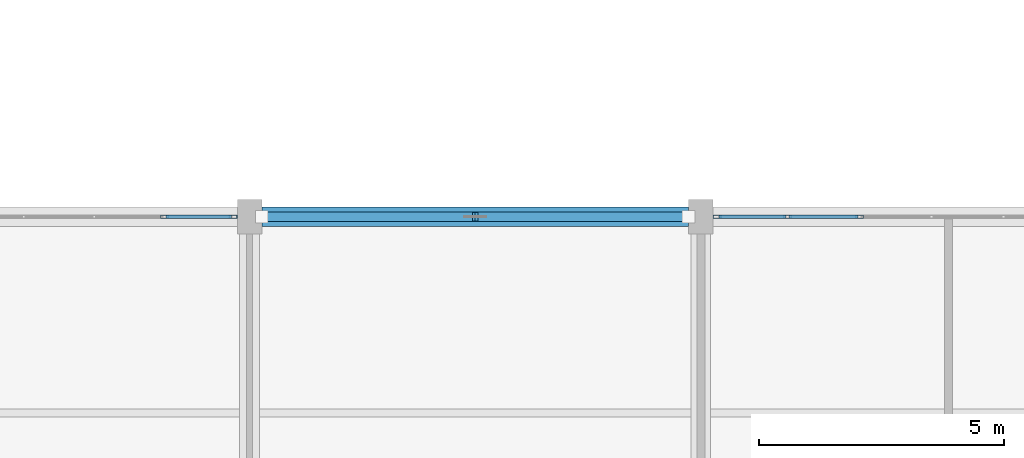
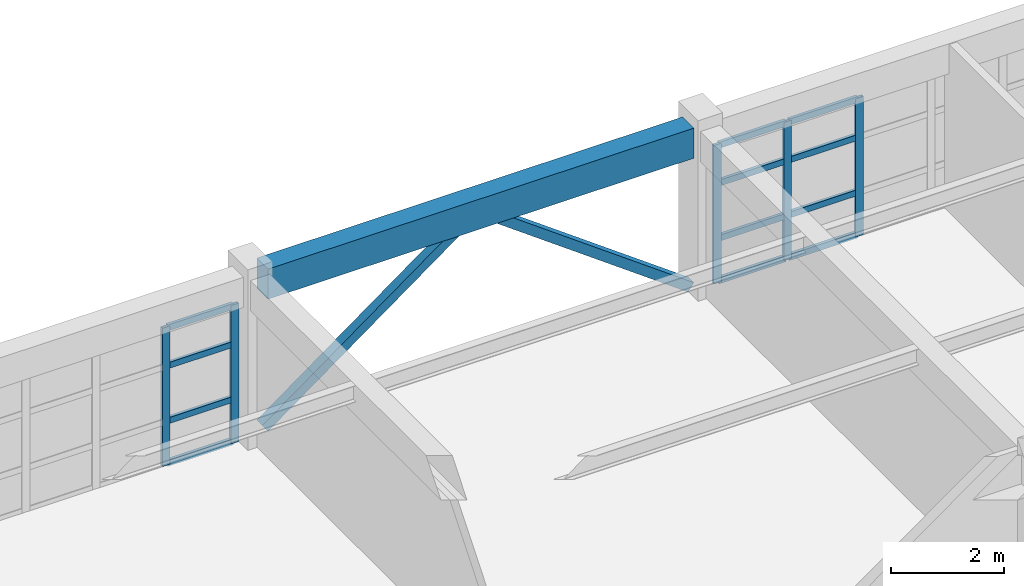
# One storey, part 29 of 150: 19 members, 1 beam, 2 elements without a shape of their own.
"""IFC4 building model written with IfcOpenShell, lengths in metres."""

from ifc_helpers import new_model, si_unit, direction, frame, origin, origin_2d, place, context, subcontext, project, spatial, rectangle, hollow_rectangle, extrude, material, material_profile, profile_set, type_object, element, aggregate, save


model = new_model("IFC4")

# Units and contexts
model_context = context("Model", 3, precision=1e-05, world=origin(), true_north=direction((0.0, 1.0)))
body_context = subcontext(model_context, "Body", "Model", "MODEL_VIEW")
ifc_project = project(units=[si_unit("LENGTHUNIT", "METRE"), si_unit("AREAUNIT", "SQUARE_METRE"), si_unit("VOLUMEUNIT", "CUBIC_METRE"), si_unit("PLANEANGLEUNIT", "RADIAN"), si_unit("MASSUNIT", "GRAM", prefix="KILO")], contexts=[model_context])

# Site, building, storey
site_placement = place(None, origin())
site = spatial("IfcSite", under=ifc_project, at=site_placement, CompositionType="ELEMENT")
building_placement = place(site_placement, origin())
building = spatial("IfcBuilding", under=site, at=building_placement, Name="Kestramere Prow Commons", CompositionType="ELEMENT")
storey_placement = place(building_placement, frame((0.0, 0.0, 4.5)))
storey = spatial("IfcBuildingStorey", under=building, at=storey_placement, Name="L01", CompositionType="ELEMENT", Elevation=4.5)

# Beam
ifc_material_1 = material(Name="Precast concrete C40/50", Category="concrete")
ifc_material_profile_1 = material_profile(ifc_material_1, rectangle(XDim=0.39990234375, YDim=0.64990234375, at=origin_2d()), Name="PC-BM 400x650")
ifc_profile_set_1 = profile_set([ifc_material_profile_1], Name="Precast concrete C40/50")
beam_type = type_object("IfcBeamType", Name="BM-MK-01 PC-BM 400x650 (EX)", PredefinedType="BEAM", material=ifc_profile_set_1)
beam_placement = place(storey_placement, frame((85.25, 24.0, 3.324951171875), z_axis=(1.0, 0.0, 0.0), x_axis=(0.0, 1.0, 0.0)))
element("IfcBeam", 1, at=beam_placement, inside=storey, type_object=beam_type, Name="Market Spine L01 Beam X 3-4", PredefinedType="BEAM", context=body_context, shape_type="SweptSolid", body=[
    extrude(rectangle(XDim=0.39990234375, YDim=0.64990234375, at=origin_2d()), origin(), (0.0, 0.0, 1.0), 8.699951171875),
])

# Members
ifc_material_2 = material(Name="Steel S355JR", Category="steel")
ifc_material_profile_2 = material_profile(ifc_material_2, hollow_rectangle(XDim=0.199951171875, YDim=0.199951171875, WallThickness=0.010009765625, at=origin_2d()), Name="SHS 200x200x10")
ifc_profile_set_2 = profile_set([ifc_material_profile_2], Name="Steel S355JR")
member_type_1 = type_object("IfcMemberType", Name="BRMK-01 SHS 200x200x10", PredefinedType="BRACE", material=ifc_profile_set_2)
member_1_placement = place(storey_placement, frame((85.25, 24.0, 0.14990234375), z_axis=(0.807733187272, 0.0, 0.589548215314), x_axis=(0.0, 1.0, 0.0)))
element("IfcMember", 2, at=member_1_placement, inside=storey, type_object=member_type_1, Name="Market Spine Diagonal Brace L01-L", PredefinedType="BRACE", context=body_context, shape_type="SweptSolid", body=[
    extrude(hollow_rectangle(XDim=0.199951171875, YDim=0.199951171875, WallThickness=0.010009765625, at=origin_2d()), origin(), (0.0, 0.0, 1.0), 5.385498046875),
])
member_2_placement = place(storey_placement, frame((93.949951171875, 24.0, 0.14990234375), z_axis=(-0.807717430346, 0.0, 0.58956980309), x_axis=(0.0, -1.0, 0.0)))
element("IfcMember", 3, at=member_2_placement, inside=storey, type_object=member_type_1, Name="Market Spine Diagonal Brace L01-R", PredefinedType="BRACE", context=body_context, shape_type="SweptSolid", body=[
    extrude(hollow_rectangle(XDim=0.199951171875, YDim=0.199951171875, WallThickness=0.010009765625, at=origin_2d()), origin(), (0.0, 0.0, 1.0), 5.38525390625),
])

# Curtain wall, members
ifc_material_3 = material(Name="Anodised Aluminium and Low-E Glass", Category="aluminium")
curtain_wall_type_1 = type_object("IfcCurtainWallType", Name="CW-25 Glazed Curtain Wall 8600x2990", PredefinedType="USERDEFINED", material=ifc_material_3)
curtain_wall_1_placement = place(storey_placement, origin())
curtain_wall_1 = element("IfcCurtainWall", 4, at=curtain_wall_1_placement, inside=storey, type_object=curtain_wall_type_1, Name="Market L01 Courtyard Shopfront 3", ObjectType="GLAZED CURTAIN WALL", PredefinedType="USERDEFINED")
ifc_material_4 = material(Name="Anodised Aluminium 6063-T6", Category="aluminium")
ifc_material_profile_3 = material_profile(ifc_material_4, hollow_rectangle(XDim=0.06494140625, YDim=0.159912109375, WallThickness=0.00390625, at=origin_2d()), Name="ALU-MUL 65x160")
ifc_profile_set_3 = profile_set([ifc_material_profile_3], Name="Anodised Aluminium 6063-T6")
member_type_2 = type_object("IfcMemberType", Name="CW-MUL-65x160", PredefinedType="MULLION", material=ifc_profile_set_3)
member_3_placement = place(storey_placement, frame((83.2666015625, 24.0, 0.0), z_axis=(0.0, 0.0, 1.0), x_axis=(0.0, 1.0, 0.0)))
member_3 = element("IfcMember", 5, at=member_3_placement, type_object=member_type_2, Name="CW-25 mullion 6", PredefinedType="MULLION", context=body_context, shape_type="SweptSolid", body=[
    extrude(hollow_rectangle(XDim=0.06494140625, YDim=0.159912109375, WallThickness=0.00390625, at=origin_2d()), origin(), (0.0, 0.0, 1.0), 2.989990234375),
])
member_4_placement = place(storey_placement, frame((84.66748046875, 24.0, 0.0), z_axis=(0.0, 0.0, 1.0), x_axis=(0.0, 1.0, 0.0)))
member_4 = element("IfcMember", 6, at=member_4_placement, type_object=member_type_2, Name="CW-25 mullion 7", PredefinedType="MULLION", context=body_context, shape_type="SweptSolid", body=[
    extrude(hollow_rectangle(XDim=0.06494140625, YDim=0.159912109375, WallThickness=0.00390625, at=origin_2d()), origin(), (0.0, 0.0, 1.0), 2.989990234375),
])

curtain_wall_type_2 = type_object("IfcCurtainWallType", Name="CW-26 Glazed Curtain Wall 8800x2990", PredefinedType="USERDEFINED", material=ifc_material_3)
curtain_wall_2_placement = place(storey_placement, origin())
curtain_wall_2 = element("IfcCurtainWall", 7, at=curtain_wall_2_placement, inside=storey, type_object=curtain_wall_type_2, Name="Market L01 Courtyard Shopfront 5", ObjectType="GLAZED CURTAIN WALL", PredefinedType="USERDEFINED")
member_5_placement = place(storey_placement, frame((94.532470703125, 24.0, 0.0), z_axis=(0.0, 0.0, 1.0), x_axis=(0.0, 1.0, 0.0)))
member_5 = element("IfcMember", 8, at=member_5_placement, type_object=member_type_2, Name="CW-26 mullion 1", PredefinedType="MULLION", context=body_context, shape_type="SweptSolid", body=[
    extrude(hollow_rectangle(XDim=0.06494140625, YDim=0.159912109375, WallThickness=0.00390625, at=origin_2d()), origin(), (0.0, 0.0, 1.0), 2.989990234375),
])
member_6_placement = place(storey_placement, frame((95.966552734375, 24.0, 0.0), z_axis=(0.0, 0.0, 1.0), x_axis=(0.0, 1.0, 0.0)))
member_6 = element("IfcMember", 9, at=member_6_placement, type_object=member_type_2, Name="CW-26 mullion 2", PredefinedType="MULLION", context=body_context, shape_type="SweptSolid", body=[
    extrude(hollow_rectangle(XDim=0.06494140625, YDim=0.159912109375, WallThickness=0.00390625, at=origin_2d()), origin(), (0.0, 0.0, 1.0), 2.989990234375),
])
member_7_placement = place(storey_placement, frame((97.433349609375, 24.0, 0.0), z_axis=(0.0, 0.0, 1.0), x_axis=(0.0, 1.0, 0.0)))
member_7 = element("IfcMember", 10, at=member_7_placement, type_object=member_type_2, Name="CW-26 mullion 3", PredefinedType="MULLION", context=body_context, shape_type="SweptSolid", body=[
    extrude(hollow_rectangle(XDim=0.06494140625, YDim=0.159912109375, WallThickness=0.00390625, at=origin_2d()), origin(), (0.0, 0.0, 1.0), 2.989990234375),
])

# Member
ifc_material_profile_4 = material_profile(ifc_material_4, hollow_rectangle(XDim=0.06494140625, YDim=0.1298828125, WallThickness=0.00390625, at=origin_2d()), Name="ALU-TRN 65x130")
ifc_profile_set_4 = profile_set([ifc_material_profile_4], Name="Anodised Aluminium 6063-T6")
member_type_3 = type_object("IfcMemberType", Name="CW-TRN-65x130", PredefinedType="USERDEFINED", material=ifc_profile_set_4)
member_8_placement = place(storey_placement, frame((83.299072265625, 24.0, 0.032470703125), z_axis=(1.0, 0.0, 0.0), x_axis=(0.0, 1.0, 0.0)))
member_8 = element("IfcMember", 11, at=member_8_placement, type_object=member_type_3, Name="CW-25 transom 6.1", ObjectType="TRANSOM", PredefinedType="USERDEFINED", context=body_context, shape_type="SweptSolid", body=[
    extrude(hollow_rectangle(XDim=0.06494140625, YDim=0.1298828125, WallThickness=0.00390625, at=origin_2d()), origin(), (0.0, 0.0, 1.0), 1.3359375),
])

member_9_placement = place(storey_placement, frame((83.299072265625, 24.0, 0.949951171875), z_axis=(1.0, 0.0, 0.0), x_axis=(0.0, 1.0, 0.0)))
member_9 = element("IfcMember", 12, at=member_9_placement, type_object=member_type_3, Name="CW-25 transom 6.2", ObjectType="TRANSOM", PredefinedType="USERDEFINED", context=body_context, shape_type="SweptSolid", body=[
    extrude(hollow_rectangle(XDim=0.06494140625, YDim=0.1298828125, WallThickness=0.00390625, at=origin_2d()), origin(), (0.0, 0.0, 1.0), 1.3359375),
])

member_10_placement = place(storey_placement, frame((83.299072265625, 24.0, 2.139892578125), z_axis=(1.0, 0.0, 0.0), x_axis=(0.0, 1.0, 0.0)))
member_10 = element("IfcMember", 13, at=member_10_placement, type_object=member_type_3, Name="CW-25 transom 6.3", ObjectType="TRANSOM", PredefinedType="USERDEFINED", context=body_context, shape_type="SweptSolid", body=[
    extrude(hollow_rectangle(XDim=0.06494140625, YDim=0.1298828125, WallThickness=0.00390625, at=origin_2d()), origin(), (0.0, 0.0, 1.0), 1.3359375),
])

member_11_placement = place(storey_placement, frame((83.299072265625, 24.0, 2.95751953125), z_axis=(1.0, 0.0, 0.0), x_axis=(0.0, 1.0, 0.0)))
member_11 = element("IfcMember", 14, at=member_11_placement, type_object=member_type_3, Name="CW-25 transom 6.4", ObjectType="TRANSOM", PredefinedType="USERDEFINED", context=body_context, shape_type="SweptSolid", body=[
    extrude(hollow_rectangle(XDim=0.06494140625, YDim=0.1298828125, WallThickness=0.00390625, at=origin_2d()), origin(), (0.0, 0.0, 1.0), 1.3359375),
])

aggregate(curtain_wall_1, [member_3, member_4, member_8, member_9, member_10, member_11])

member_12_placement = place(storey_placement, frame((94.56494140625, 24.0, 0.032470703125), z_axis=(1.0, 0.0, 0.0), x_axis=(0.0, 1.0, 0.0)))
member_12 = element("IfcMember", 15, at=member_12_placement, type_object=member_type_3, Name="CW-26 transom 1.1", ObjectType="TRANSOM", PredefinedType="USERDEFINED", context=body_context, shape_type="SweptSolid", body=[
    extrude(hollow_rectangle(XDim=0.06494140625, YDim=0.1298828125, WallThickness=0.00390625, at=origin_2d()), origin(), (0.0, 0.0, 1.0), 1.369140625),
])

member_13_placement = place(storey_placement, frame((94.56494140625, 24.0, 0.949951171875), z_axis=(1.0, 0.0, 0.0), x_axis=(0.0, 1.0, 0.0)))
member_13 = element("IfcMember", 16, at=member_13_placement, type_object=member_type_3, Name="CW-26 transom 1.2", ObjectType="TRANSOM", PredefinedType="USERDEFINED", context=body_context, shape_type="SweptSolid", body=[
    extrude(hollow_rectangle(XDim=0.06494140625, YDim=0.1298828125, WallThickness=0.00390625, at=origin_2d()), origin(), (0.0, 0.0, 1.0), 1.369140625),
])

member_14_placement = place(storey_placement, frame((94.56494140625, 24.0, 2.139892578125), z_axis=(1.0, 0.0, 0.0), x_axis=(0.0, 1.0, 0.0)))
member_14 = element("IfcMember", 17, at=member_14_placement, type_object=member_type_3, Name="CW-26 transom 1.3", ObjectType="TRANSOM", PredefinedType="USERDEFINED", context=body_context, shape_type="SweptSolid", body=[
    extrude(hollow_rectangle(XDim=0.06494140625, YDim=0.1298828125, WallThickness=0.00390625, at=origin_2d()), origin(), (0.0, 0.0, 1.0), 1.369140625),
])

member_15_placement = place(storey_placement, frame((94.56494140625, 24.0, 2.95751953125), z_axis=(1.0, 0.0, 0.0), x_axis=(0.0, 1.0, 0.0)))
member_15 = element("IfcMember", 18, at=member_15_placement, type_object=member_type_3, Name="CW-26 transom 1.4", ObjectType="TRANSOM", PredefinedType="USERDEFINED", context=body_context, shape_type="SweptSolid", body=[
    extrude(hollow_rectangle(XDim=0.06494140625, YDim=0.1298828125, WallThickness=0.00390625, at=origin_2d()), origin(), (0.0, 0.0, 1.0), 1.369140625),
])

member_16_placement = place(storey_placement, frame((95.999267578125, 24.0, 0.032470703125), z_axis=(1.0, 0.0, 0.0), x_axis=(0.0, 1.0, 0.0)))
member_16 = element("IfcMember", 19, at=member_16_placement, type_object=member_type_3, Name="CW-26 transom 2.1", ObjectType="TRANSOM", PredefinedType="USERDEFINED", context=body_context, shape_type="SweptSolid", body=[
    extrude(hollow_rectangle(XDim=0.06494140625, YDim=0.1298828125, WallThickness=0.00390625, at=origin_2d()), origin(), (0.0, 0.0, 1.0), 1.401611328125),
])

member_17_placement = place(storey_placement, frame((95.999267578125, 24.0, 0.949951171875), z_axis=(1.0, 0.0, 0.0), x_axis=(0.0, 1.0, 0.0)))
member_17 = element("IfcMember", 20, at=member_17_placement, type_object=member_type_3, Name="CW-26 transom 2.2", ObjectType="TRANSOM", PredefinedType="USERDEFINED", context=body_context, shape_type="SweptSolid", body=[
    extrude(hollow_rectangle(XDim=0.06494140625, YDim=0.1298828125, WallThickness=0.00390625, at=origin_2d()), origin(), (0.0, 0.0, 1.0), 1.401611328125),
])

member_18_placement = place(storey_placement, frame((95.999267578125, 24.0, 2.139892578125), z_axis=(1.0, 0.0, 0.0), x_axis=(0.0, 1.0, 0.0)))
member_18 = element("IfcMember", 21, at=member_18_placement, type_object=member_type_3, Name="CW-26 transom 2.3", ObjectType="TRANSOM", PredefinedType="USERDEFINED", context=body_context, shape_type="SweptSolid", body=[
    extrude(hollow_rectangle(XDim=0.06494140625, YDim=0.1298828125, WallThickness=0.00390625, at=origin_2d()), origin(), (0.0, 0.0, 1.0), 1.401611328125),
])

member_19_placement = place(storey_placement, frame((95.999267578125, 24.0, 2.95751953125), z_axis=(1.0, 0.0, 0.0), x_axis=(0.0, 1.0, 0.0)))
member_19 = element("IfcMember", 22, at=member_19_placement, type_object=member_type_3, Name="CW-26 transom 2.4", ObjectType="TRANSOM", PredefinedType="USERDEFINED", context=body_context, shape_type="SweptSolid", body=[
    extrude(hollow_rectangle(XDim=0.06494140625, YDim=0.1298828125, WallThickness=0.00390625, at=origin_2d()), origin(), (0.0, 0.0, 1.0), 1.401611328125),
])

aggregate(curtain_wall_2, [member_5, member_6, member_7, member_12, member_13, member_14, member_15, member_16, member_17, member_18, member_19])

save(model, "model.ifc")
